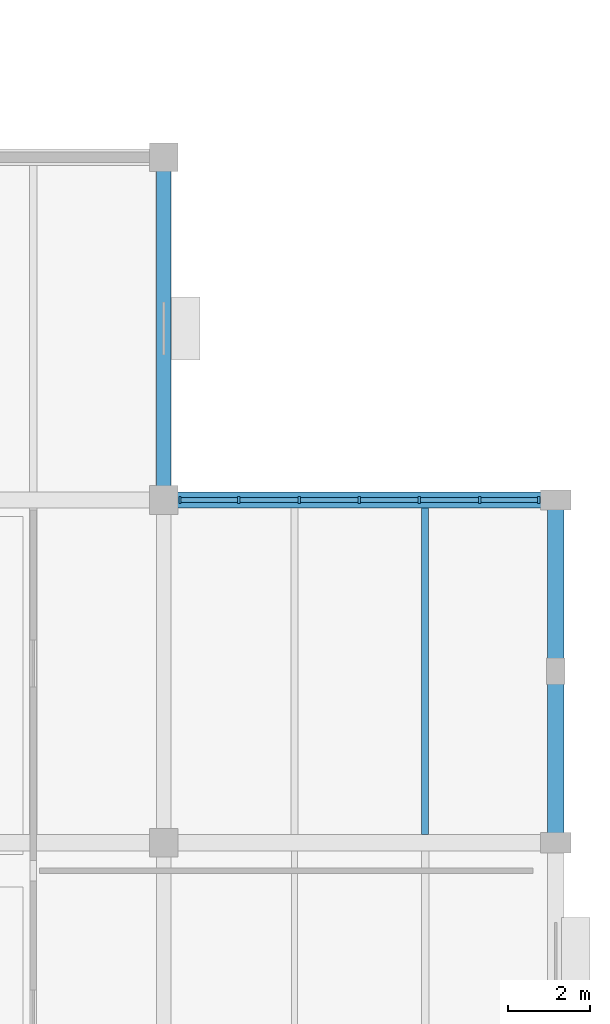
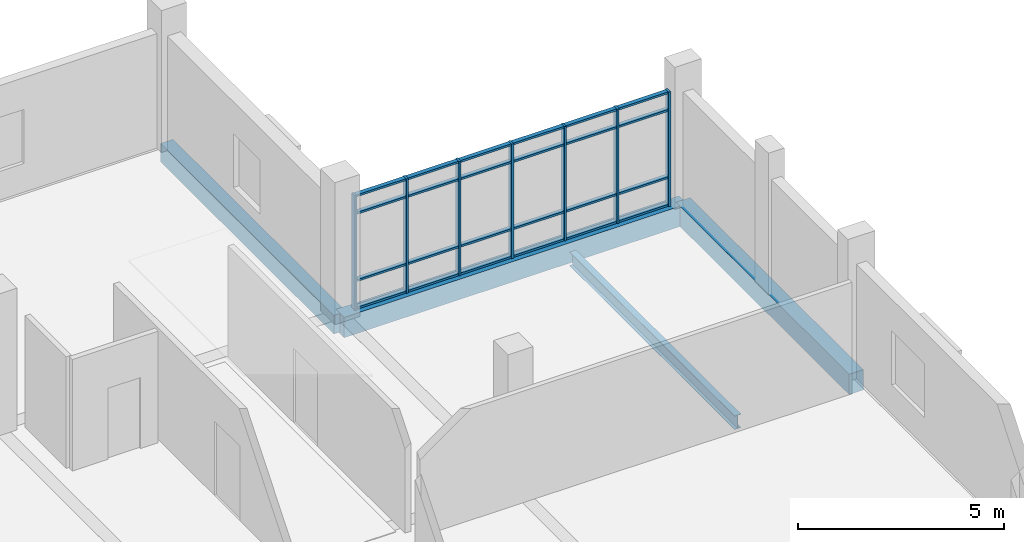
# One storey, part 20 of 57: 31 members, 4 beams, 1 element without a shape of its own.
"""IFC4 building model written with IfcOpenShell, lengths in metres."""

from ifc_helpers import new_model, si_unit, direction, frame, origin, origin_2d, place, context, subcontext, project, spatial, rectangle, i_section, extrude, material, material_profile, profile_set, type_object, element, aggregate, save


model = new_model("IFC4")

# Units and contexts
model_context = context("Model", 3, precision=1e-05, world=origin(), true_north=direction((0.0, 1.0)))
body_context = subcontext(model_context, "Body", "Model", "MODEL_VIEW")
ifc_project = project(units=[si_unit("LENGTHUNIT", "METRE"), si_unit("AREAUNIT", "SQUARE_METRE"), si_unit("VOLUMEUNIT", "CUBIC_METRE"), si_unit("PLANEANGLEUNIT", "RADIAN"), si_unit("MASSUNIT", "GRAM", prefix="KILO")], contexts=[model_context])

# Site, building, storey
site_placement = place(None, origin())
site = spatial("IfcSite", under=ifc_project, at=site_placement, CompositionType="ELEMENT")
building_placement = place(site_placement, origin())
building = spatial("IfcBuilding", under=site, at=building_placement, Name="Oolite Switchyard Hospital", CompositionType="ELEMENT")
storey_placement = place(building_placement, frame((0.0, 0.0, 17.800048828125)))
storey = spatial("IfcBuildingStorey", under=building, at=storey_placement, Name="L04", CompositionType="ELEMENT", Elevation=17.800048828125)

# Beams
ifc_material_1 = material(Name="Concrete C40/50", Category="concrete")
ifc_material_profile_1 = material_profile(ifc_material_1, rectangle(XDim=0.35009765625, YDim=0.550048828125, at=origin_2d()), Name="RCB350X550")
ifc_profile_set_1 = profile_set([ifc_material_profile_1], Name="Concrete C40/50")
beam_type_1 = type_object("IfcBeamType", Name="BM-RC350X550", PredefinedType="BEAM", material=ifc_profile_set_1)
beam_1_placement = place(storey_placement, frame((201.60009765625, 67.199951171875, -0.275146484375), z_axis=(0.0, 1.0, 0.0), x_axis=(-1.0, 0.0, 0.0)))
element("IfcBeam", 1, at=beam_1_placement, inside=storey, type_object=beam_type_1, Name="L04 Y-Girder 3070", PredefinedType="BEAM", context=body_context, shape_type="SweptSolid", body=[
    extrude(rectangle(XDim=0.35009765625, YDim=0.550048828125, at=origin_2d()), origin(), (0.0, 0.0, 1.0), 8.400146484375),
])
ifc_material_profile_2 = material_profile(ifc_material_1, rectangle(XDim=0.39990234375, YDim=0.60009765625, at=origin_2d()), Name="RCB400X600")
ifc_profile_set_2 = profile_set([ifc_material_profile_2], Name="Concrete C40/50")
beam_type_2 = type_object("IfcBeamType", Name="BM-RC400X600", PredefinedType="BEAM", material=ifc_profile_set_2)
beam_2_placement = place(storey_placement, frame((201.60009765625, 67.199951171875, -0.300048828125), z_axis=(1.0, 0.0, 0.0), x_axis=(0.0, 1.0, 0.0)))
element("IfcBeam", 2, at=beam_2_placement, inside=storey, type_object=beam_type_2, Name="L04 X-Girder 2820", PredefinedType="BEAM", context=body_context, shape_type="SweptSolid", body=[
    extrude(rectangle(XDim=0.39990234375, YDim=0.60009765625, at=origin_2d()), origin(), (0.0, 0.0, 1.0), 9.599853515625),
])
beam_3_placement = place(storey_placement, frame((211.199951171875, 58.800048828125, -0.300048828125), z_axis=(0.0, 1.0, 0.0), x_axis=(-1.0, 0.0, 0.0)))
element("IfcBeam", 3, at=beam_3_placement, inside=storey, type_object=beam_type_2, Name="L04 Y-Girder 3080", PredefinedType="BEAM", context=body_context, shape_type="SweptSolid", body=[
    extrude(rectangle(XDim=0.39990234375, YDim=0.60009765625, at=origin_2d()), origin(), (0.0, 0.0, 1.0), 8.39990234375),
])
ifc_material_2 = material(Name="Steel ASTM A992 Grade 50", Category="steel")
ifc_material_profile_3 = material_profile(ifc_material_2, i_section(OverallWidth=0.177978515625, OverallDepth=0.403076171875, WebThickness=0.008056640625, FlangeThickness=0.010986328125, at=origin_2d()), Name="W16X36")
ifc_profile_set_3 = profile_set([ifc_material_profile_3], Name="Steel ASTM A992 Grade 50")
beam_type_3 = type_object("IfcBeamType", Name="BM-W16X36", PredefinedType="JOIST", material=ifc_profile_set_3)
beam_4_placement = place(storey_placement, frame((208.0, 59.0, -0.47607421875), z_axis=(0.0, 1.0, 0.0), x_axis=(-1.0, 0.0, 0.0)))
element("IfcBeam", 4, at=beam_4_placement, inside=storey, type_object=beam_type_3, Name="L04 Secondary Steel Joist 3322", PredefinedType="JOIST", context=body_context, shape_type="SweptSolid", body=[
    extrude(i_section(OverallWidth=0.177978515625, OverallDepth=0.403076171875, WebThickness=0.008056640625, FlangeThickness=0.010986328125, at=origin_2d()), origin(), (0.0, 0.0, 1.0), 8.0),
])

# Curtain wall, members
ifc_material_3 = material(Name="Thermally broken aluminum frame with laminated impact glazing", Category="aluminium")
curtain_wall_type = type_object("IfcCurtainWallType", Name="CW-UNIT-96X42", PredefinedType="USERDEFINED", material=ifc_material_3)
curtain_wall_placement = place(storey_placement, origin())
curtain_wall = element("IfcCurtainWall", 5, at=curtain_wall_placement, inside=storey, type_object=curtain_wall_type, Name="L04 Unitised Curtain Wall 362", ObjectType="UNITISED", PredefinedType="USERDEFINED")
ifc_material_4 = material(Name="Aluminium 6063-T6", Category="aluminium")
ifc_material_profile_4 = material_profile(ifc_material_4, rectangle(XDim=0.159912109375, YDim=0.06005859375, at=origin_2d()), Name="CWM60X160")
ifc_profile_set_4 = profile_set([ifc_material_profile_4], Name="Aluminium 6063-T6")
member_type_1 = type_object("IfcMemberType", Name="CW-MUL-180", PredefinedType="MULLION", material=ifc_profile_set_4)
member_1_placement = place(storey_placement, frame((201.9951171875, 67.199951171875, 0.0), z_axis=(0.0, 0.0, 1.0), x_axis=(0.0, 1.0, 0.0)))
member_1 = element("IfcMember", 6, at=member_1_placement, type_object=member_type_1, Name="CW-05 mullion 1", PredefinedType="MULLION", context=body_context, shape_type="SweptSolid", body=[
    extrude(rectangle(XDim=0.159912109375, YDim=0.06005859375, at=origin_2d()), origin(), (0.0, 0.0, 1.0), 3.389892578125),
])
member_2_placement = place(storey_placement, frame((203.439208984375, 67.199951171875, 0.0), z_axis=(0.0, 0.0, 1.0), x_axis=(0.0, 1.0, 0.0)))
member_2 = element("IfcMember", 7, at=member_2_placement, type_object=member_type_1, Name="CW-05 mullion 2", PredefinedType="MULLION", context=body_context, shape_type="SweptSolid", body=[
    extrude(rectangle(XDim=0.159912109375, YDim=0.06005859375, at=origin_2d()), origin(), (0.0, 0.0, 1.0), 3.389892578125),
])
member_3_placement = place(storey_placement, frame((204.913330078125, 67.199951171875, 0.0), z_axis=(0.0, 0.0, 1.0), x_axis=(0.0, 1.0, 0.0)))
member_3 = element("IfcMember", 8, at=member_3_placement, type_object=member_type_1, Name="CW-05 mullion 3", PredefinedType="MULLION", context=body_context, shape_type="SweptSolid", body=[
    extrude(rectangle(XDim=0.159912109375, YDim=0.06005859375, at=origin_2d()), origin(), (0.0, 0.0, 1.0), 3.389892578125),
])
member_4_placement = place(storey_placement, frame((206.387451171875, 67.199951171875, 0.0), z_axis=(0.0, 0.0, 1.0), x_axis=(0.0, 1.0, 0.0)))
member_4 = element("IfcMember", 9, at=member_4_placement, type_object=member_type_1, Name="CW-05 mullion 4", PredefinedType="MULLION", context=body_context, shape_type="SweptSolid", body=[
    extrude(rectangle(XDim=0.159912109375, YDim=0.06005859375, at=origin_2d()), origin(), (0.0, 0.0, 1.0), 3.389892578125),
])
member_5_placement = place(storey_placement, frame((207.861572265625, 67.199951171875, 0.0), z_axis=(0.0, 0.0, 1.0), x_axis=(0.0, 1.0, 0.0)))
member_5 = element("IfcMember", 10, at=member_5_placement, type_object=member_type_1, Name="CW-05 mullion 5", PredefinedType="MULLION", context=body_context, shape_type="SweptSolid", body=[
    extrude(rectangle(XDim=0.159912109375, YDim=0.06005859375, at=origin_2d()), origin(), (0.0, 0.0, 1.0), 3.389892578125),
])
member_6_placement = place(storey_placement, frame((209.3359375, 67.199951171875, 0.0), z_axis=(0.0, 0.0, 1.0), x_axis=(0.0, 1.0, 0.0)))
member_6 = element("IfcMember", 11, at=member_6_placement, type_object=member_type_1, Name="CW-05 mullion 6", PredefinedType="MULLION", context=body_context, shape_type="SweptSolid", body=[
    extrude(rectangle(XDim=0.159912109375, YDim=0.06005859375, at=origin_2d()), origin(), (0.0, 0.0, 1.0), 3.389892578125),
])
member_7_placement = place(storey_placement, frame((210.780029296875, 67.199951171875, 0.0), z_axis=(0.0, 0.0, 1.0), x_axis=(0.0, 1.0, 0.0)))
member_7 = element("IfcMember", 12, at=member_7_placement, type_object=member_type_1, Name="CW-05 mullion 7", PredefinedType="MULLION", context=body_context, shape_type="SweptSolid", body=[
    extrude(rectangle(XDim=0.159912109375, YDim=0.06005859375, at=origin_2d()), origin(), (0.0, 0.0, 1.0), 3.389892578125),
])
ifc_material_profile_5 = material_profile(ifc_material_4, rectangle(XDim=0.1201171875, YDim=0.06005859375, at=origin_2d()), Name="CWT60X120")
ifc_profile_set_5 = profile_set([ifc_material_profile_5], Name="Aluminium 6063-T6")
member_type_2 = type_object("IfcMemberType", Name="CW-TRN-150", PredefinedType="USERDEFINED", material=ifc_profile_set_5)
member_8_placement = place(storey_placement, frame((202.02490234375, 67.199951171875, 0.030029296875), z_axis=(1.0, 0.0, 0.0), x_axis=(0.0, 1.0, 0.0)))
member_8 = element("IfcMember", 13, at=member_8_placement, type_object=member_type_2, Name="CW-05 transom 1.1", ObjectType="TRANSOM", PredefinedType="USERDEFINED", context=body_context, shape_type="SweptSolid", body=[
    extrude(rectangle(XDim=0.1201171875, YDim=0.06005859375, at=origin_2d()), origin(), (0.0, 0.0, 1.0), 1.38427734375),
])
member_9_placement = place(storey_placement, frame((202.02490234375, 67.199951171875, 0.849853515625), z_axis=(1.0, 0.0, 0.0), x_axis=(0.0, 1.0, 0.0)))
member_9 = element("IfcMember", 14, at=member_9_placement, type_object=member_type_2, Name="CW-05 transom 1.2", ObjectType="TRANSOM", PredefinedType="USERDEFINED", context=body_context, shape_type="SweptSolid", body=[
    extrude(rectangle(XDim=0.1201171875, YDim=0.06005859375, at=origin_2d()), origin(), (0.0, 0.0, 1.0), 1.38427734375),
])
member_10_placement = place(storey_placement, frame((202.02490234375, 67.199951171875, 2.83984375), z_axis=(1.0, 0.0, 0.0), x_axis=(0.0, 1.0, 0.0)))
member_10 = element("IfcMember", 15, at=member_10_placement, type_object=member_type_2, Name="CW-05 transom 1.3", ObjectType="TRANSOM", PredefinedType="USERDEFINED", context=body_context, shape_type="SweptSolid", body=[
    extrude(rectangle(XDim=0.1201171875, YDim=0.06005859375, at=origin_2d()), origin(), (0.0, 0.0, 1.0), 1.38427734375),
])
member_11_placement = place(storey_placement, frame((202.02490234375, 67.199951171875, 3.35986328125), z_axis=(1.0, 0.0, 0.0), x_axis=(0.0, 1.0, 0.0)))
member_11 = element("IfcMember", 16, at=member_11_placement, type_object=member_type_2, Name="CW-05 transom 1.4", ObjectType="TRANSOM", PredefinedType="USERDEFINED", context=body_context, shape_type="SweptSolid", body=[
    extrude(rectangle(XDim=0.1201171875, YDim=0.06005859375, at=origin_2d()), origin(), (0.0, 0.0, 1.0), 1.38427734375),
])
member_12_placement = place(storey_placement, frame((203.46923828125, 67.199951171875, 0.030029296875), z_axis=(1.0, 0.0, 0.0), x_axis=(0.0, 1.0, 0.0)))
member_12 = element("IfcMember", 17, at=member_12_placement, type_object=member_type_2, Name="CW-05 transom 2.1", ObjectType="TRANSOM", PredefinedType="USERDEFINED", context=body_context, shape_type="SweptSolid", body=[
    extrude(rectangle(XDim=0.1201171875, YDim=0.06005859375, at=origin_2d()), origin(), (0.0, 0.0, 1.0), 1.4140625),
])
member_13_placement = place(storey_placement, frame((203.46923828125, 67.199951171875, 0.849853515625), z_axis=(1.0, 0.0, 0.0), x_axis=(0.0, 1.0, 0.0)))
member_13 = element("IfcMember", 18, at=member_13_placement, type_object=member_type_2, Name="CW-05 transom 2.2", ObjectType="TRANSOM", PredefinedType="USERDEFINED", context=body_context, shape_type="SweptSolid", body=[
    extrude(rectangle(XDim=0.1201171875, YDim=0.06005859375, at=origin_2d()), origin(), (0.0, 0.0, 1.0), 1.4140625),
])
member_14_placement = place(storey_placement, frame((203.46923828125, 67.199951171875, 2.83984375), z_axis=(1.0, 0.0, 0.0), x_axis=(0.0, 1.0, 0.0)))
member_14 = element("IfcMember", 19, at=member_14_placement, type_object=member_type_2, Name="CW-05 transom 2.3", ObjectType="TRANSOM", PredefinedType="USERDEFINED", context=body_context, shape_type="SweptSolid", body=[
    extrude(rectangle(XDim=0.1201171875, YDim=0.06005859375, at=origin_2d()), origin(), (0.0, 0.0, 1.0), 1.4140625),
])
member_15_placement = place(storey_placement, frame((203.46923828125, 67.199951171875, 3.35986328125), z_axis=(1.0, 0.0, 0.0), x_axis=(0.0, 1.0, 0.0)))
member_15 = element("IfcMember", 20, at=member_15_placement, type_object=member_type_2, Name="CW-05 transom 2.4", ObjectType="TRANSOM", PredefinedType="USERDEFINED", context=body_context, shape_type="SweptSolid", body=[
    extrude(rectangle(XDim=0.1201171875, YDim=0.06005859375, at=origin_2d()), origin(), (0.0, 0.0, 1.0), 1.4140625),
])
member_16_placement = place(storey_placement, frame((204.943359375, 67.199951171875, 0.030029296875), z_axis=(1.0, 0.0, 0.0), x_axis=(0.0, 1.0, 0.0)))
member_16 = element("IfcMember", 21, at=member_16_placement, type_object=member_type_2, Name="CW-05 transom 3.1", ObjectType="TRANSOM", PredefinedType="USERDEFINED", context=body_context, shape_type="SweptSolid", body=[
    extrude(rectangle(XDim=0.1201171875, YDim=0.06005859375, at=origin_2d()), origin(), (0.0, 0.0, 1.0), 1.4140625),
])
member_17_placement = place(storey_placement, frame((204.943359375, 67.199951171875, 0.849853515625), z_axis=(1.0, 0.0, 0.0), x_axis=(0.0, 1.0, 0.0)))
member_17 = element("IfcMember", 22, at=member_17_placement, type_object=member_type_2, Name="CW-05 transom 3.2", ObjectType="TRANSOM", PredefinedType="USERDEFINED", context=body_context, shape_type="SweptSolid", body=[
    extrude(rectangle(XDim=0.1201171875, YDim=0.06005859375, at=origin_2d()), origin(), (0.0, 0.0, 1.0), 1.4140625),
])
member_18_placement = place(storey_placement, frame((204.943359375, 67.199951171875, 2.83984375), z_axis=(1.0, 0.0, 0.0), x_axis=(0.0, 1.0, 0.0)))
member_18 = element("IfcMember", 23, at=member_18_placement, type_object=member_type_2, Name="CW-05 transom 3.3", ObjectType="TRANSOM", PredefinedType="USERDEFINED", context=body_context, shape_type="SweptSolid", body=[
    extrude(rectangle(XDim=0.1201171875, YDim=0.06005859375, at=origin_2d()), origin(), (0.0, 0.0, 1.0), 1.4140625),
])
member_19_placement = place(storey_placement, frame((204.943359375, 67.199951171875, 3.35986328125), z_axis=(1.0, 0.0, 0.0), x_axis=(0.0, 1.0, 0.0)))
member_19 = element("IfcMember", 24, at=member_19_placement, type_object=member_type_2, Name="CW-05 transom 3.4", ObjectType="TRANSOM", PredefinedType="USERDEFINED", context=body_context, shape_type="SweptSolid", body=[
    extrude(rectangle(XDim=0.1201171875, YDim=0.06005859375, at=origin_2d()), origin(), (0.0, 0.0, 1.0), 1.4140625),
])
member_20_placement = place(storey_placement, frame((206.41748046875, 67.199951171875, 0.030029296875), z_axis=(1.0, 0.0, 0.0), x_axis=(0.0, 1.0, 0.0)))
member_20 = element("IfcMember", 25, at=member_20_placement, type_object=member_type_2, Name="CW-05 transom 4.1", ObjectType="TRANSOM", PredefinedType="USERDEFINED", context=body_context, shape_type="SweptSolid", body=[
    extrude(rectangle(XDim=0.1201171875, YDim=0.06005859375, at=origin_2d()), origin(), (0.0, 0.0, 1.0), 1.414306640625),
])
member_21_placement = place(storey_placement, frame((206.41748046875, 67.199951171875, 0.849853515625), z_axis=(1.0, 0.0, 0.0), x_axis=(0.0, 1.0, 0.0)))
member_21 = element("IfcMember", 26, at=member_21_placement, type_object=member_type_2, Name="CW-05 transom 4.2", ObjectType="TRANSOM", PredefinedType="USERDEFINED", context=body_context, shape_type="SweptSolid", body=[
    extrude(rectangle(XDim=0.1201171875, YDim=0.06005859375, at=origin_2d()), origin(), (0.0, 0.0, 1.0), 1.414306640625),
])
member_22_placement = place(storey_placement, frame((206.41748046875, 67.199951171875, 2.83984375), z_axis=(1.0, 0.0, 0.0), x_axis=(0.0, 1.0, 0.0)))
member_22 = element("IfcMember", 27, at=member_22_placement, type_object=member_type_2, Name="CW-05 transom 4.3", ObjectType="TRANSOM", PredefinedType="USERDEFINED", context=body_context, shape_type="SweptSolid", body=[
    extrude(rectangle(XDim=0.1201171875, YDim=0.06005859375, at=origin_2d()), origin(), (0.0, 0.0, 1.0), 1.414306640625),
])
member_23_placement = place(storey_placement, frame((206.41748046875, 67.199951171875, 3.35986328125), z_axis=(1.0, 0.0, 0.0), x_axis=(0.0, 1.0, 0.0)))
member_23 = element("IfcMember", 28, at=member_23_placement, type_object=member_type_2, Name="CW-05 transom 4.4", ObjectType="TRANSOM", PredefinedType="USERDEFINED", context=body_context, shape_type="SweptSolid", body=[
    extrude(rectangle(XDim=0.1201171875, YDim=0.06005859375, at=origin_2d()), origin(), (0.0, 0.0, 1.0), 1.414306640625),
])
member_24_placement = place(storey_placement, frame((207.8916015625, 67.199951171875, 0.030029296875), z_axis=(1.0, 0.0, 0.0), x_axis=(0.0, 1.0, 0.0)))
member_24 = element("IfcMember", 29, at=member_24_placement, type_object=member_type_2, Name="CW-05 transom 5.1", ObjectType="TRANSOM", PredefinedType="USERDEFINED", context=body_context, shape_type="SweptSolid", body=[
    extrude(rectangle(XDim=0.1201171875, YDim=0.06005859375, at=origin_2d()), origin(), (0.0, 0.0, 1.0), 1.414306640625),
])
member_25_placement = place(storey_placement, frame((207.8916015625, 67.199951171875, 0.849853515625), z_axis=(1.0, 0.0, 0.0), x_axis=(0.0, 1.0, 0.0)))
member_25 = element("IfcMember", 30, at=member_25_placement, type_object=member_type_2, Name="CW-05 transom 5.2", ObjectType="TRANSOM", PredefinedType="USERDEFINED", context=body_context, shape_type="SweptSolid", body=[
    extrude(rectangle(XDim=0.1201171875, YDim=0.06005859375, at=origin_2d()), origin(), (0.0, 0.0, 1.0), 1.414306640625),
])
member_26_placement = place(storey_placement, frame((207.8916015625, 67.199951171875, 2.83984375), z_axis=(1.0, 0.0, 0.0), x_axis=(0.0, 1.0, 0.0)))
member_26 = element("IfcMember", 31, at=member_26_placement, type_object=member_type_2, Name="CW-05 transom 5.3", ObjectType="TRANSOM", PredefinedType="USERDEFINED", context=body_context, shape_type="SweptSolid", body=[
    extrude(rectangle(XDim=0.1201171875, YDim=0.06005859375, at=origin_2d()), origin(), (0.0, 0.0, 1.0), 1.414306640625),
])
member_27_placement = place(storey_placement, frame((207.8916015625, 67.199951171875, 3.35986328125), z_axis=(1.0, 0.0, 0.0), x_axis=(0.0, 1.0, 0.0)))
member_27 = element("IfcMember", 32, at=member_27_placement, type_object=member_type_2, Name="CW-05 transom 5.4", ObjectType="TRANSOM", PredefinedType="USERDEFINED", context=body_context, shape_type="SweptSolid", body=[
    extrude(rectangle(XDim=0.1201171875, YDim=0.06005859375, at=origin_2d()), origin(), (0.0, 0.0, 1.0), 1.414306640625),
])
member_28_placement = place(storey_placement, frame((209.36572265625, 67.199951171875, 0.030029296875), z_axis=(1.0, 0.0, 0.0), x_axis=(0.0, 1.0, 0.0)))
member_28 = element("IfcMember", 33, at=member_28_placement, type_object=member_type_2, Name="CW-05 transom 6.1", ObjectType="TRANSOM", PredefinedType="USERDEFINED", context=body_context, shape_type="SweptSolid", body=[
    extrude(rectangle(XDim=0.1201171875, YDim=0.06005859375, at=origin_2d()), origin(), (0.0, 0.0, 1.0), 1.38427734375),
])
member_29_placement = place(storey_placement, frame((209.36572265625, 67.199951171875, 0.849853515625), z_axis=(1.0, 0.0, 0.0), x_axis=(0.0, 1.0, 0.0)))
member_29 = element("IfcMember", 34, at=member_29_placement, type_object=member_type_2, Name="CW-05 transom 6.2", ObjectType="TRANSOM", PredefinedType="USERDEFINED", context=body_context, shape_type="SweptSolid", body=[
    extrude(rectangle(XDim=0.1201171875, YDim=0.06005859375, at=origin_2d()), origin(), (0.0, 0.0, 1.0), 1.38427734375),
])
member_30_placement = place(storey_placement, frame((209.36572265625, 67.199951171875, 2.83984375), z_axis=(1.0, 0.0, 0.0), x_axis=(0.0, 1.0, 0.0)))
member_30 = element("IfcMember", 35, at=member_30_placement, type_object=member_type_2, Name="CW-05 transom 6.3", ObjectType="TRANSOM", PredefinedType="USERDEFINED", context=body_context, shape_type="SweptSolid", body=[
    extrude(rectangle(XDim=0.1201171875, YDim=0.06005859375, at=origin_2d()), origin(), (0.0, 0.0, 1.0), 1.38427734375),
])
member_31_placement = place(storey_placement, frame((209.36572265625, 67.199951171875, 3.35986328125), z_axis=(1.0, 0.0, 0.0), x_axis=(0.0, 1.0, 0.0)))
member_31 = element("IfcMember", 36, at=member_31_placement, type_object=member_type_2, Name="CW-05 transom 6.4", ObjectType="TRANSOM", PredefinedType="USERDEFINED", context=body_context, shape_type="SweptSolid", body=[
    extrude(rectangle(XDim=0.1201171875, YDim=0.06005859375, at=origin_2d()), origin(), (0.0, 0.0, 1.0), 1.38427734375),
])
aggregate(curtain_wall, [member_1, member_2, member_3, member_4, member_5, member_6, member_7, member_8, member_9, member_10, member_11, member_12, member_13, member_14, member_15, member_16, member_17, member_18, member_19, member_20, member_21, member_22, member_23, member_24, member_25, member_26, member_27, member_28, member_29, member_30, member_31])

save(model, "model.ifc")
